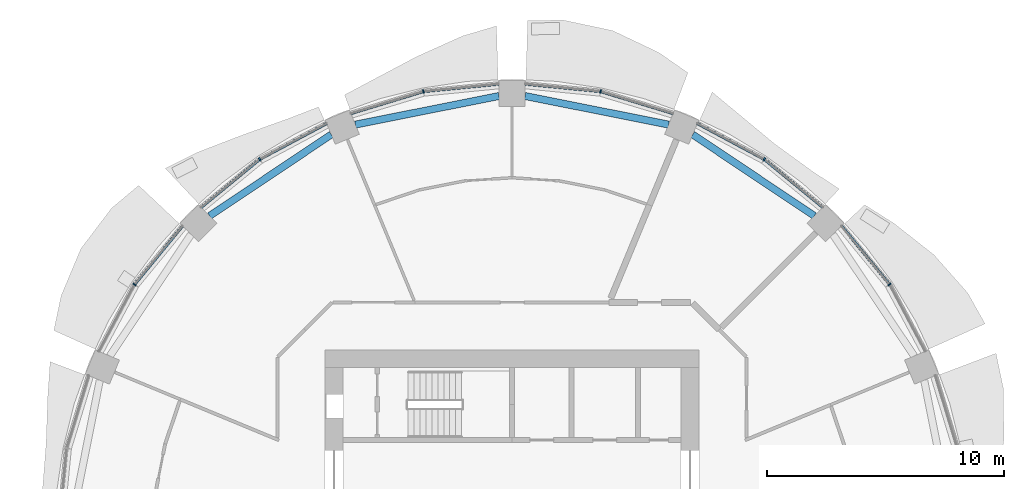
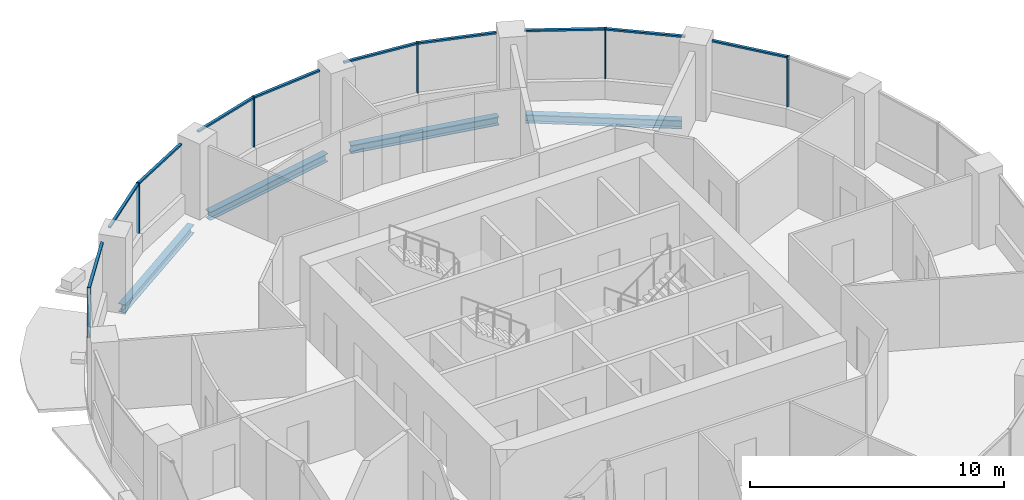
# One storey, part 5 of 14: 16 members, 4 beams, 6 elements without a shape of their own.
"""IFC4 building model written with IfcOpenShell, lengths in metres."""

from ifc_helpers import new_model, si_unit, direction, frame, origin, origin_2d, place, context, subcontext, project, spatial, rectangle, i_section, extrude, material, material_profile, profile_set, type_object, element, aggregate, save


model = new_model("IFC4")

# Units and contexts
model_context = context("Model", 3, precision=1e-05, world=origin(), true_north=direction((0.0, 1.0)))
body_context = subcontext(model_context, "Body", "Model", "MODEL_VIEW")
ifc_project = project(units=[si_unit("LENGTHUNIT", "METRE"), si_unit("AREAUNIT", "SQUARE_METRE"), si_unit("VOLUMEUNIT", "CUBIC_METRE"), si_unit("PLANEANGLEUNIT", "RADIAN"), si_unit("MASSUNIT", "GRAM", prefix="KILO")], contexts=[model_context])

# Site, building, storey
site_placement = place(None, origin())
site = spatial("IfcSite", under=ifc_project, at=site_placement, CompositionType="ELEMENT")
building_placement = place(site_placement, origin())
building = spatial("IfcBuilding", under=site, at=building_placement, Name="Polderwave Tower", CompositionType="ELEMENT")
storey_placement = place(building_placement, frame((0.0, 0.0, 101.949951171875)))
storey = spatial("IfcBuildingStorey", under=building, at=storey_placement, Name="L26", CompositionType="ELEMENT", Elevation=101.949951171875)

# Curtain wall, member
ifc_material_1 = material(Name="Aluminium 6063-T6 and glass", Category="aluminium")
curtain_wall_type = type_object("IfcCurtainWallType", Name="Growing floor ribbon glazing wall", PredefinedType="NOTDEFINED", material=ifc_material_1)
curtain_wall_1_placement = place(storey_placement, origin())
curtain_wall_1 = element("IfcCurtainWall", 1, at=curtain_wall_1_placement, inside=storey, type_object=curtain_wall_type, Name="CW2 L26 01", PredefinedType="NOTDEFINED")
ifc_material_2 = material(Name="Aluminium 6063-T6", Category="aluminium")
ifc_material_profile_1 = material_profile(ifc_material_2, rectangle(XDim=0.14990234375, YDim=0.06005859375, at=origin_2d()), Name="AL 60x150")
ifc_profile_set_1 = profile_set([ifc_material_profile_1], Name="Aluminium 6063-T6")
member_type_1 = type_object("IfcMemberType", Name="Growing floor ribbon glazing mullion 60x150", PredefinedType="MULLION", material=ifc_profile_set_1)
member_1_placement = place(storey_placement, frame((15.89794921875, 10.623046875, 0.900146484375), z_axis=(0.0, 0.0, 1.0), x_axis=(-0.831467672992, -0.555573135393, 0.0)))
member_1 = element("IfcMember", 2, at=member_1_placement, type_object=member_type_1, Name="CW2 mullion 1", PredefinedType="MULLION", context=body_context, shape_type="SweptSolid", body=[
    extrude(rectangle(XDim=0.14990234375, YDim=0.06005859375, at=origin_2d()), origin(), (0.0, 0.0, 1.0), 2.39990234375),
])

curtain_wall_2_placement = place(storey_placement, origin())
curtain_wall_2 = element("IfcCurtainWall", 3, at=curtain_wall_2_placement, inside=storey, type_object=curtain_wall_type, Name="CW2 L26 02", PredefinedType="NOTDEFINED")
member_2_placement = place(storey_placement, frame((10.623046875, 15.89794921875, 0.900146484375), z_axis=(0.0, 0.0, 1.0), x_axis=(-0.555573135393, -0.831467672992, 0.0)))
member_2 = element("IfcMember", 4, at=member_2_placement, type_object=member_type_1, Name="CW2 mullion 1", PredefinedType="MULLION", context=body_context, shape_type="SweptSolid", body=[
    extrude(rectangle(XDim=0.14990234375, YDim=0.06005859375, at=origin_2d()), origin(), (0.0, 0.0, 1.0), 2.39990234375),
])

curtain_wall_3_placement = place(storey_placement, origin())
curtain_wall_3 = element("IfcCurtainWall", 5, at=curtain_wall_3_placement, inside=storey, type_object=curtain_wall_type, Name="CW2 L26 03", PredefinedType="NOTDEFINED")
member_3_placement = place(storey_placement, frame((3.72998046875, 18.7529296875, 0.900146484375), z_axis=(0.0, 0.0, 1.0), x_axis=(-0.195112575278, -0.980780853692, 0.0)))
member_3 = element("IfcMember", 6, at=member_3_placement, type_object=member_type_1, Name="CW2 mullion 1", PredefinedType="MULLION", context=body_context, shape_type="SweptSolid", body=[
    extrude(rectangle(XDim=0.14990234375, YDim=0.06005859375, at=origin_2d()), origin(), (0.0, 0.0, 1.0), 2.39990234375),
])

curtain_wall_4_placement = place(storey_placement, origin())
curtain_wall_4 = element("IfcCurtainWall", 7, at=curtain_wall_4_placement, inside=storey, type_object=curtain_wall_type, Name="CW2 L26 04", PredefinedType="NOTDEFINED")
member_4_placement = place(storey_placement, frame((-3.72998046875, 18.7529296875, 0.900146484375), z_axis=(0.0, 0.0, 1.0), x_axis=(0.195112575278, -0.980780853692, 0.0)))
member_4 = element("IfcMember", 8, at=member_4_placement, type_object=member_type_1, Name="CW2 mullion 1", PredefinedType="MULLION", context=body_context, shape_type="SweptSolid", body=[
    extrude(rectangle(XDim=0.14990234375, YDim=0.06005859375, at=origin_2d()), origin(), (0.0, 0.0, 1.0), 2.39990234375),
])

curtain_wall_5_placement = place(storey_placement, origin())
curtain_wall_5 = element("IfcCurtainWall", 9, at=curtain_wall_5_placement, inside=storey, type_object=curtain_wall_type, Name="CW2 L26 05", PredefinedType="NOTDEFINED")
member_5_placement = place(storey_placement, frame((-10.623046875, 15.89794921875, 0.900146484375), z_axis=(0.0, 0.0, 1.0), x_axis=(0.555573135393, -0.831467672992, 0.0)))
member_5 = element("IfcMember", 10, at=member_5_placement, type_object=member_type_1, Name="CW2 mullion 1", PredefinedType="MULLION", context=body_context, shape_type="SweptSolid", body=[
    extrude(rectangle(XDim=0.14990234375, YDim=0.06005859375, at=origin_2d()), origin(), (0.0, 0.0, 1.0), 2.39990234375),
])

curtain_wall_6_placement = place(storey_placement, origin())
curtain_wall_6 = element("IfcCurtainWall", 11, at=curtain_wall_6_placement, inside=storey, type_object=curtain_wall_type, Name="CW2 L26 06", PredefinedType="NOTDEFINED")
member_6_placement = place(storey_placement, frame((-15.89794921875, 10.623046875, 0.900146484375), z_axis=(0.0, 0.0, 1.0), x_axis=(0.831467672992, -0.555573135393, 0.0)))
member_6 = element("IfcMember", 12, at=member_6_placement, type_object=member_type_1, Name="CW2 mullion 1", PredefinedType="MULLION", context=body_context, shape_type="SweptSolid", body=[
    extrude(rectangle(XDim=0.14990234375, YDim=0.06005859375, at=origin_2d()), origin(), (0.0, 0.0, 1.0), 2.39990234375),
])

# Member
ifc_material_profile_2 = material_profile(ifc_material_2, rectangle(XDim=0.1201171875, YDim=0.080078125, at=origin_2d()), Name="AL 80x120")
ifc_profile_set_2 = profile_set([ifc_material_profile_2], Name="Aluminium 6063-T6")
member_type_2 = type_object("IfcMemberType", Name="Growing floor ribbon glazing transom 80x120", PredefinedType="USERDEFINED", material=ifc_profile_set_2)
member_7_placement = place(storey_placement, frame((15.87890625, 10.646240234375, 3.260009765625), z_axis=(-0.634538762198, 0.772891039712, 0.0), x_axis=(-0.772891039712, -0.634538762198, 0.0)))
member_7 = element("IfcMember", 13, at=member_7_placement, type_object=member_type_2, Name="CW2 transom 2", ObjectType="TRANSOM", PredefinedType="USERDEFINED", context=body_context, shape_type="SweptSolid", body=[
    extrude(rectangle(XDim=0.1201171875, YDim=0.080078125, at=origin_2d()), origin(), (0.0, 0.0, 1.0), 3.165771484375),
])

aggregate(curtain_wall_1, [member_1, member_7])

member_8_placement = place(storey_placement, frame((13.093017578125, 13.8701171875, 3.260009765625), z_axis=(-0.772891039712, 0.634538762198, 0.0), x_axis=(-0.634538762198, -0.772891039712, 0.0)))
member_8 = element("IfcMember", 14, at=member_8_placement, type_object=member_type_2, Name="CW2 transom 1", ObjectType="TRANSOM", PredefinedType="USERDEFINED", context=body_context, shape_type="SweptSolid", body=[
    extrude(rectangle(XDim=0.1201171875, YDim=0.080078125, at=origin_2d()), origin(), (0.0, 0.0, 1.0), 3.165771484375),
])

member_9_placement = place(storey_placement, frame((10.596435546875, 15.912109375, 3.260009765625), z_axis=(-0.882009036404, 0.471232490074, 0.0), x_axis=(-0.471232490074, -0.882009036404, 0.0)))
member_9 = element("IfcMember", 15, at=member_9_placement, type_object=member_type_2, Name="CW2 transom 2", ObjectType="TRANSOM", PredefinedType="USERDEFINED", context=body_context, shape_type="SweptSolid", body=[
    extrude(rectangle(XDim=0.1201171875, YDim=0.080078125, at=origin_2d()), origin(), (0.0, 0.0, 1.0), 3.166015625),
])

aggregate(curtain_wall_2, [member_2, member_8, member_9])

member_10_placement = place(storey_placement, frame((6.7880859375, 17.824951171875, 3.260009765625), z_axis=(-0.956895886584, 0.290431166093, 0.0), x_axis=(-0.290431166093, -0.956895886584, 0.0)))
member_10 = element("IfcMember", 16, at=member_10_placement, type_object=member_type_2, Name="CW2 transom 1", ObjectType="TRANSOM", PredefinedType="USERDEFINED", context=body_context, shape_type="SweptSolid", body=[
    extrude(rectangle(XDim=0.1201171875, YDim=0.080078125, at=origin_2d()), origin(), (0.0, 0.0, 1.0), 3.165771484375),
])

member_11_placement = place(storey_placement, frame((3.7001953125, 18.755859375, 3.260009765625), z_axis=(-0.995191003597, 0.097953388713, 0.0), x_axis=(-0.097953388713, -0.995191003597, 0.0)))
member_11 = element("IfcMember", 17, at=member_11_placement, type_object=member_type_2, Name="CW2 transom 2", ObjectType="TRANSOM", PredefinedType="USERDEFINED", context=body_context, shape_type="SweptSolid", body=[
    extrude(rectangle(XDim=0.1201171875, YDim=0.080078125, at=origin_2d()), origin(), (0.0, 0.0, 1.0), 3.165283203125),
])

aggregate(curtain_wall_3, [member_3, member_10, member_11])

member_12_placement = place(storey_placement, frame((-0.550048828125, 19.06591796875, 3.260009765625), z_axis=(-0.995191003597, -0.097953388713, 0.0), x_axis=(0.097953388713, -0.995191003597, 0.0)))
member_12 = element("IfcMember", 18, at=member_12_placement, type_object=member_type_2, Name="CW2 transom 1", ObjectType="TRANSOM", PredefinedType="USERDEFINED", context=body_context, shape_type="SweptSolid", body=[
    extrude(rectangle(XDim=0.1201171875, YDim=0.080078125, at=origin_2d()), origin(), (0.0, 0.0, 1.0), 3.165283203125),
])

member_13_placement = place(storey_placement, frame((-3.7587890625, 18.744384765625, 3.260009765625), z_axis=(-0.956895886584, -0.290431166093, 0.0), x_axis=(0.290431166093, -0.956895886584, 0.0)))
member_13 = element("IfcMember", 19, at=member_13_placement, type_object=member_type_2, Name="CW2 transom 2", ObjectType="TRANSOM", PredefinedType="USERDEFINED", context=body_context, shape_type="SweptSolid", body=[
    extrude(rectangle(XDim=0.1201171875, YDim=0.080078125, at=origin_2d()), origin(), (0.0, 0.0, 1.0), 3.165771484375),
])

aggregate(curtain_wall_4, [member_4, member_12, member_13])

member_14_placement = place(storey_placement, frame((-7.803955078125, 17.404052734375, 3.260009765625), z_axis=(-0.882009036404, -0.471232490074, 0.0), x_axis=(0.471232490074, -0.882009036404, 0.0)))
member_14 = element("IfcMember", 20, at=member_14_placement, type_object=member_type_2, Name="CW2 transom 1", ObjectType="TRANSOM", PredefinedType="USERDEFINED", context=body_context, shape_type="SweptSolid", body=[
    extrude(rectangle(XDim=0.1201171875, YDim=0.080078125, at=origin_2d()), origin(), (0.0, 0.0, 1.0), 3.166015625),
])

member_15_placement = place(storey_placement, frame((-10.646240234375, 15.87890625, 3.260009765625), z_axis=(-0.772891039712, -0.634538762198, 0.0), x_axis=(0.634538762198, -0.772891039712, 0.0)))
member_15 = element("IfcMember", 21, at=member_15_placement, type_object=member_type_2, Name="CW2 transom 2", ObjectType="TRANSOM", PredefinedType="USERDEFINED", context=body_context, shape_type="SweptSolid", body=[
    extrude(rectangle(XDim=0.1201171875, YDim=0.080078125, at=origin_2d()), origin(), (0.0, 0.0, 1.0), 3.165771484375),
])

aggregate(curtain_wall_5, [member_5, member_14, member_15])

member_16_placement = place(storey_placement, frame((-13.8701171875, 13.093017578125, 3.260009765625), z_axis=(-0.634538762198, -0.772891039712, 0.0), x_axis=(0.772891039712, -0.634538762198, 0.0)))
member_16 = element("IfcMember", 22, at=member_16_placement, type_object=member_type_2, Name="CW2 transom 1", ObjectType="TRANSOM", PredefinedType="USERDEFINED", context=body_context, shape_type="SweptSolid", body=[
    extrude(rectangle(XDim=0.1201171875, YDim=0.080078125, at=origin_2d()), origin(), (0.0, 0.0, 1.0), 3.165771484375),
])

aggregate(curtain_wall_6, [member_6, member_16])

# Beams
ifc_material_3 = material(Name="Steel S355", Category="steel")
ifc_material_profile_3 = material_profile(ifc_material_3, i_section(OverallWidth=0.300048828125, OverallDepth=0.39990234375, WebThickness=0.013427734375, FlangeThickness=0.02392578125, at=origin_2d()), Name="HE 400 B")
ifc_profile_set_3 = profile_set([ifc_material_profile_3], Name="Steel S355")
beam_type = type_object("IfcBeamType", Name="RING BEAM HE 400 B", PredefinedType="BEAM", material=ifc_profile_set_3)
for number, where, z_axis, x_axis, name in (
    (23, (12.7353515625, 13.51318359375, -0.550048828125), (-0.831458658758, 0.555586625808, 0.0), (-0.555586625808, -0.831458658758, 0.0), "ST-RB-L26-02"),
    (24, (6.5947265625, 17.358154296875, -0.550048828125), (-0.980784304918, 0.195095226048, 0.0), (-0.195095226048, -0.980784304918, 0.0), "ST-RB-L26-03"),
    (25, (-0.550048828125, 18.560546875, -0.550048828125), (-0.980784304918, -0.195095226048, 0.0), (0.195095226048, -0.980784304918, 0.0), "ST-RB-L26-04"),
    (26, (-7.611083984375, 16.937255859375, -0.550048828125), (-0.831458658758, -0.555586625808, 0.0), (0.555586625808, -0.831458658758, 0.0), "ST-RB-L26-05"),
):
    element("IfcBeam", number, at=place(storey_placement, frame(where, z_axis=z_axis, x_axis=x_axis)), inside=storey, type_object=beam_type, Name=name, PredefinedType="BEAM", context=body_context, shape_type="SweptSolid", body=[
        extrude(i_section(OverallWidth=0.300048828125, OverallDepth=0.39990234375, WebThickness=0.013427734375, FlangeThickness=0.02392578125, at=origin_2d()), origin(), (0.0, 0.0, 1.0), 6.1630859375),
    ])

save(model, "model.ifc")
